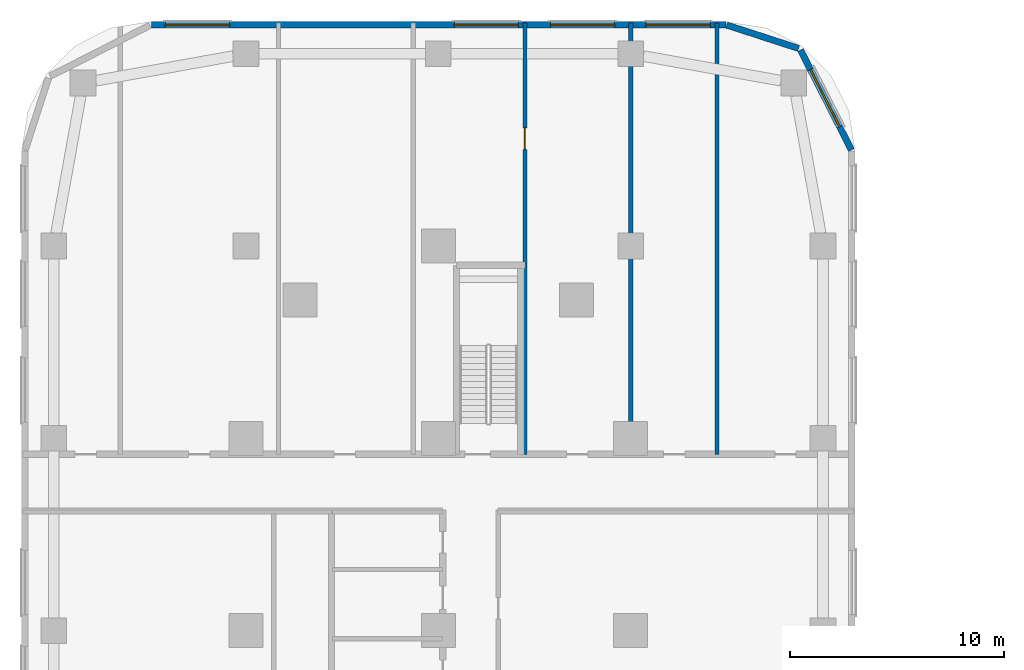
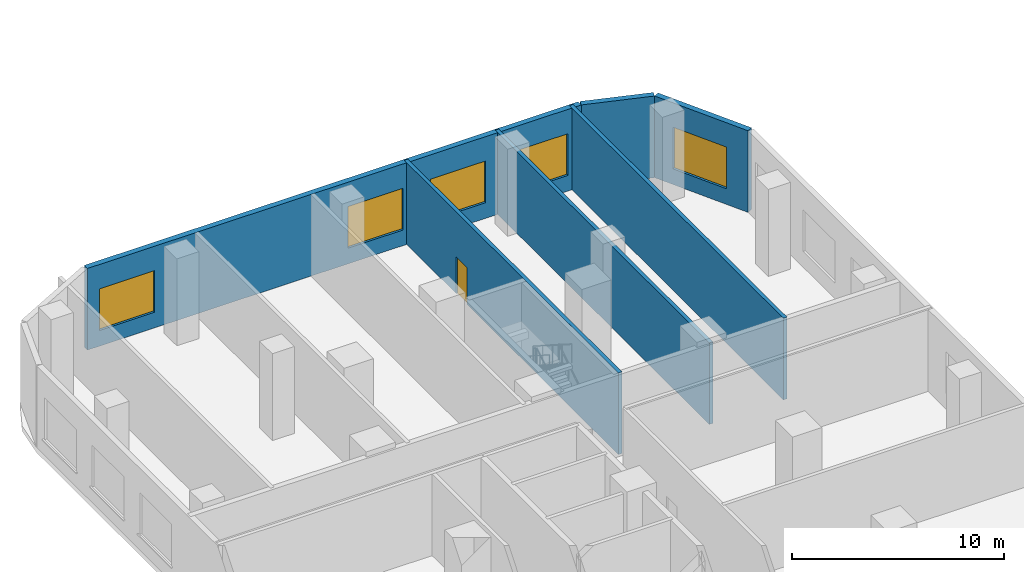
# One storey, part 15 of 33: 6 walls, 5 windows, 1 door, 6 openings.
"""IFC4 building model written with IfcOpenShell, lengths in metres."""

from ifc_helpers import new_model, si_unit, direction, frame, frame_2d, origin, place, context, subcontext, project, spatial, rectangle, extrude, material, layer, layer_set, type_object, element, fill, save


model = new_model("IFC4")

# Units and contexts
model_context = context("Model", 3, precision=1e-05, world=origin(), true_north=direction((0.0, 1.0)))
body_context = subcontext(model_context, "Body", "Model", "MODEL_VIEW")
ifc_project = project(units=[si_unit("LENGTHUNIT", "METRE"), si_unit("AREAUNIT", "SQUARE_METRE"), si_unit("VOLUMEUNIT", "CUBIC_METRE"), si_unit("PLANEANGLEUNIT", "RADIAN"), si_unit("MASSUNIT", "GRAM", prefix="KILO")], contexts=[model_context])

# Site, building, storey
site_placement = place(None, origin())
site = spatial("IfcSite", under=ifc_project, at=site_placement, CompositionType="ELEMENT")
building_placement = place(site_placement, origin())
building = spatial("IfcBuilding", under=site, at=building_placement, Name="Ogive Portal Towers", CompositionType="ELEMENT")
storey_placement = place(building_placement, frame((0.0, 0.0, 28.5)))
storey = spatial("IfcBuildingStorey", under=building, at=storey_placement, Name="L05", CompositionType="ELEMENT", Elevation=28.5)

# Wall, opening, window
ifc_material_1 = material(Name="Limestone cladding on lightweight block wall", Category="masonry")
ifc_layer_1 = layer(ifc_material_1, 0.300048828125)
ifc_layer_set_1 = layer_set([ifc_layer_1], Name="EXTERNAL WALL 300 STONE")
wall_type_1 = type_object("IfcWallType", Name="EXTERNAL WALL 300 STONE", PredefinedType="SOLIDWALL", material=ifc_layer_set_1)
wall_1_placement = place(storey_placement, frame((59.833740234375, 79.99609375, 0.0), z_axis=(0.0, 0.0, 1.0), x_axis=(-0.454006562826, 0.890998339455, 0.0)))
wall_1 = element("IfcWall", 1, at=wall_1_placement, inside=storey, type_object=wall_type_1, Name="A:L05:f12:w0", PredefinedType="SOLIDWALL", context=body_context, shape_type="SweptSolid", body=[
    extrude(rectangle(XDim=5.251708984375, YDim=0.300048828125, at=frame_2d((2.6259765625, 0.0))), origin(), (0.0, 0.0, 1.0), 4.699951171875),
])
opening_1_placement = place(wall_1_placement, frame((1.223876953125, 0.0, 0.89990234375)))
opening_1 = element("IfcOpeningElement", 2, at=opening_1_placement, cuts=wall_1, Name="Opening WN3", PredefinedType="OPENING", context=body_context, shape_type="SweptSolid", body=[
    extrude(rectangle(XDim=3.0, YDim=2.39990234375, at=frame_2d((1.5, 1.199951171875))), frame((0.0, 0.16015625, 0.0), z_axis=(0.0, -1.0, 0.0), x_axis=(1.0, 0.0, 0.0)), (0.0, 0.0, 1.0), 0.320068359375),
])
ifc_material_2 = material(Name="Glass, clear low-iron insulated glazing", Category="glass")
window_type = type_object("IfcWindowType", Name="WINDOW PODIUM 3000x2400", PartitioningType="SINGLE_PANEL", PredefinedType="WINDOW", material=ifc_material_2)
window_1_placement = place(opening_1_placement, origin())
window_1 = element("IfcWindow", 3, at=window_1_placement, inside=storey, type_object=window_type, Name="A:L05:f12:w0:o0", OverallHeight=2.39990234375, OverallWidth=3.0, PartitioningType="SINGLE_PANEL", PredefinedType="WINDOW", context=body_context, shape_type="SweptSolid", body=[
    extrude(rectangle(XDim=3.0, YDim=2.39990234375, at=frame_2d((1.5, 1.199951171875))), frame((0.0, 0.030029296875, 0.0), z_axis=(0.0, -1.0, 0.0), x_axis=(1.0, 0.0, 0.0)), (0.0, 0.0, 1.0), 0.06005859375),
])
fill(opening_1, window_1)

# Wall
wall_2_placement = place(storey_placement, frame((57.362060546875, 84.749755859375, 0.0), z_axis=(0.0, 0.0, 1.0), x_axis=(-0.951038127287, 0.309073584194, 0.0)))
element("IfcWall", 4, at=wall_2_placement, inside=storey, type_object=wall_type_1, Name="A:L05:f13:w0", PredefinedType="SOLIDWALL", context=body_context, shape_type="SweptSolid", body=[
    extrude(rectangle(XDim=3.536376953125, YDim=0.300048828125, at=frame_2d((1.76806640625, 0.0))), origin(), (0.0, 0.0, 1.0), 4.699951171875),
])

# Wall, openings, windows
wall_3_placement = place(storey_placement, frame((53.952392578125, 85.85009765625, 0.0), z_axis=(0.0, 0.0, 1.0), x_axis=(-1.0, 0.0, 0.0)))
wall_3 = element("IfcWall", 5, at=wall_3_placement, inside=storey, type_object=wall_type_1, Name="A:L05:f14:w0", PredefinedType="SOLIDWALL", context=body_context, shape_type="SweptSolid", body=[
    extrude(rectangle(XDim=26.88037109375, YDim=0.300048828125, at=frame_2d((13.440185546875, 0.0))), origin(), (0.0, 0.0, 1.0), 4.699951171875),
])
opening_2_placement = place(wall_3_placement, frame((0.726318359375, 0.0, 0.89990234375)))
opening_2 = element("IfcOpeningElement", 6, at=opening_2_placement, cuts=wall_3, Name="Opening WN3", PredefinedType="OPENING", context=body_context, shape_type="SweptSolid", body=[
    extrude(rectangle(XDim=3.0, YDim=2.39990234375, at=frame_2d((1.5, 1.199951171875))), frame((0.0, 0.16015625, 0.0), z_axis=(0.0, -1.0, 0.0), x_axis=(1.0, 0.0, 0.0)), (0.0, 0.0, 1.0), 0.320068359375),
])
opening_3_placement = place(wall_3_placement, frame((5.202392578125, 0.0, 0.89990234375)))
opening_3 = element("IfcOpeningElement", 7, at=opening_3_placement, cuts=wall_3, Name="Opening WN3", PredefinedType="OPENING", context=body_context, shape_type="SweptSolid", body=[
    extrude(rectangle(XDim=3.0, YDim=2.39990234375, at=frame_2d((1.5, 1.199951171875))), frame((0.0, 0.16015625, 0.0), z_axis=(0.0, -1.0, 0.0), x_axis=(1.0, 0.0, 0.0)), (0.0, 0.0, 1.0), 0.320068359375),
])
opening_4_placement = place(wall_3_placement, frame((9.702392578125, 0.0, 0.89990234375)))
opening_4 = element("IfcOpeningElement", 8, at=opening_4_placement, cuts=wall_3, Name="Opening WN3", PredefinedType="OPENING", context=body_context, shape_type="SweptSolid", body=[
    extrude(rectangle(XDim=3.0, YDim=2.39990234375, at=frame_2d((1.5, 1.199951171875))), frame((0.0, 0.16015625, 0.0), z_axis=(0.0, -1.0, 0.0), x_axis=(1.0, 0.0, 0.0)), (0.0, 0.0, 1.0), 0.320068359375),
])
opening_5_placement = place(wall_3_placement, frame((23.226318359375, 0.0, 0.89990234375)))
opening_5 = element("IfcOpeningElement", 9, at=opening_5_placement, cuts=wall_3, Name="Opening WN3", PredefinedType="OPENING", context=body_context, shape_type="SweptSolid", body=[
    extrude(rectangle(XDim=3.0, YDim=2.39990234375, at=frame_2d((1.5, 1.199951171875))), frame((0.0, 0.16015625, 0.0), z_axis=(0.0, -1.0, 0.0), x_axis=(1.0, 0.0, 0.0)), (0.0, 0.0, 1.0), 0.320068359375),
])
window_2_placement = place(opening_2_placement, origin())
window_2 = element("IfcWindow", 10, at=window_2_placement, inside=storey, type_object=window_type, Name="A:L05:f14:w0:o0", OverallHeight=2.39990234375, OverallWidth=3.0, PartitioningType="SINGLE_PANEL", PredefinedType="WINDOW", context=body_context, shape_type="SweptSolid", body=[
    extrude(rectangle(XDim=3.0, YDim=2.39990234375, at=frame_2d((1.5, 1.199951171875))), frame((0.0, 0.030029296875, 0.0), z_axis=(0.0, -1.0, 0.0), x_axis=(1.0, 0.0, 0.0)), (0.0, 0.0, 1.0), 0.06005859375),
])
fill(opening_2, window_2)
window_3_placement = place(opening_3_placement, origin())
window_3 = element("IfcWindow", 11, at=window_3_placement, inside=storey, type_object=window_type, Name="A:L05:f14:w0:o1a", OverallHeight=2.39990234375, OverallWidth=3.0, PartitioningType="SINGLE_PANEL", PredefinedType="WINDOW", context=body_context, shape_type="SweptSolid", body=[
    extrude(rectangle(XDim=3.0, YDim=2.39990234375, at=frame_2d((1.5, 1.199951171875))), frame((0.0, 0.030029296875, 0.0), z_axis=(0.0, -1.0, 0.0), x_axis=(1.0, 0.0, 0.0)), (0.0, 0.0, 1.0), 0.06005859375),
])
fill(opening_3, window_3)
window_4_placement = place(opening_4_placement, origin())
window_4 = element("IfcWindow", 12, at=window_4_placement, inside=storey, type_object=window_type, Name="A:L05:f14:w0:o1b", OverallHeight=2.39990234375, OverallWidth=3.0, PartitioningType="SINGLE_PANEL", PredefinedType="WINDOW", context=body_context, shape_type="SweptSolid", body=[
    extrude(rectangle(XDim=3.0, YDim=2.39990234375, at=frame_2d((1.5, 1.199951171875))), frame((0.0, 0.030029296875, 0.0), z_axis=(0.0, -1.0, 0.0), x_axis=(1.0, 0.0, 0.0)), (0.0, 0.0, 1.0), 0.06005859375),
])
fill(opening_4, window_4)
window_5_placement = place(opening_5_placement, origin())
window_5 = element("IfcWindow", 13, at=window_5_placement, inside=storey, type_object=window_type, Name="A:L05:f14:w0:o3", OverallHeight=2.39990234375, OverallWidth=3.0, PartitioningType="SINGLE_PANEL", PredefinedType="WINDOW", context=body_context, shape_type="SweptSolid", body=[
    extrude(rectangle(XDim=3.0, YDim=2.39990234375, at=frame_2d((1.5, 1.199951171875))), frame((0.0, 0.030029296875, 0.0), z_axis=(0.0, -1.0, 0.0), x_axis=(1.0, 0.0, 0.0)), (0.0, 0.0, 1.0), 0.06005859375),
])
fill(opening_5, window_5)

# Wall, opening, door
ifc_material_3 = material(Name="Gypsum board partition on steel studs", Category="steel")
ifc_layer_2 = layer(ifc_material_3, 0.199951171875)
ifc_layer_set_2 = layer_set([ifc_layer_2], Name="WT-PART-200-EI 60")
wall_type_2 = type_object("IfcWallType", Name="WT-PART-200-EI 60", PredefinedType="PARTITIONING", material=ifc_layer_set_2)
wall_4_placement = place(storey_placement, frame((44.550048828125, 65.75, 0.0), z_axis=(0.0, 0.0, 1.0), x_axis=(0.0, 1.0, 0.0)))
wall_4 = element("IfcWall", 14, at=wall_4_placement, inside=storey, type_object=wall_type_2, Name="Wall L05:w089", PredefinedType="PARTITIONING", context=body_context, shape_type="SweptSolid", body=[
    extrude(rectangle(XDim=20.179931640625, YDim=0.199951171875, at=frame_2d((10.08984375, 0.0))), origin(), (0.0, 0.0, 1.0), 4.699951171875),
])
opening_6_placement = place(wall_4_placement, frame((14.280029296875, 0.0, 0.0)))
opening_6 = element("IfcOpeningElement", 15, at=opening_6_placement, cuts=wall_4, Name="Opening P05-007", PredefinedType="OPENING", context=body_context, shape_type="SweptSolid", body=[
    extrude(rectangle(XDim=1.0, YDim=2.10009765625, at=frame_2d((0.5, 1.050048828125))), frame((0.0, 0.10986328125, 0.0), z_axis=(0.0, -1.0, 0.0), x_axis=(1.0, 0.0, 0.0)), (0.0, 0.0, 1.0), 0.219970703125),
])
ifc_material_4 = material(Name="Steel fire door", Category="steel")
door_type = type_object("IfcDoorType", Name="DT-SWING-1000x2100-FD60S", OperationType="SINGLE_SWING_LEFT", PredefinedType="DOOR", material=ifc_material_4)
door_placement = place(opening_6_placement, origin())
door = element("IfcDoor", 16, at=door_placement, inside=storey, type_object=door_type, Name="Door P05-007", OperationType="SINGLE_SWING_LEFT", OverallHeight=2.10009765625, OverallWidth=1.0, PredefinedType="DOOR", context=body_context, shape_type="SweptSolid", body=[
    extrude(rectangle(XDim=1.0, YDim=2.10009765625, at=frame_2d((0.5, 1.050048828125))), frame((0.0, 0.02490234375, 0.0), z_axis=(0.0, -1.0, 0.0), x_axis=(1.0, 0.0, 0.0)), (0.0, 0.0, 1.0), 0.050048828125),
])
fill(opening_6, door)

# Walls
for number, where, z_axis, x_axis, name in (
    (17, (49.5009765625, 65.75, 0.0), (0.0, 0.0, 1.0), (0.0, 1.0, 0.0), "Wall L05:w090"),
    (18, (53.5380859375, 65.75, 0.0), (0.0, 0.0, 1.0), (0.0, 1.0, 0.0), "Wall L05:w091"),
):
    element("IfcWall", number, at=place(storey_placement, frame(where, z_axis=z_axis, x_axis=x_axis)), inside=storey, type_object=wall_type_2, Name=name, PredefinedType="PARTITIONING", context=body_context, shape_type="SweptSolid", body=[
        extrude(rectangle(XDim=20.179931640625, YDim=0.199951171875, at=frame_2d((10.08984375, 0.0))), origin(), (0.0, 0.0, 1.0), 4.699951171875),
    ])

save(model, "model.ifc")
